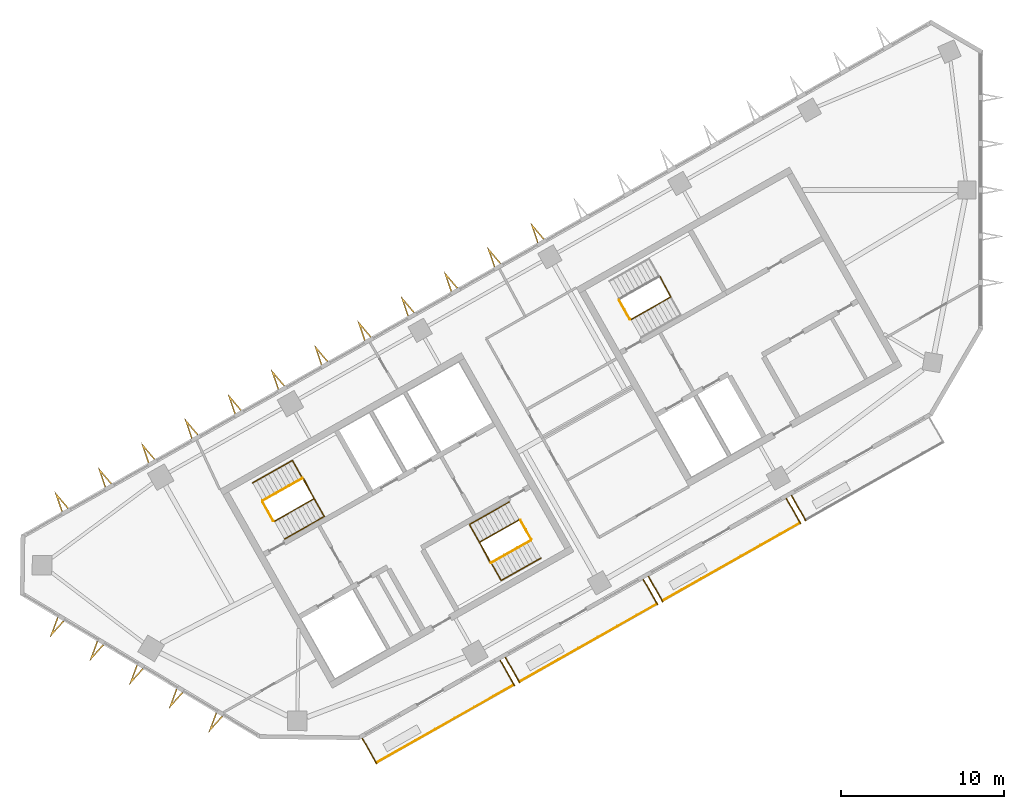
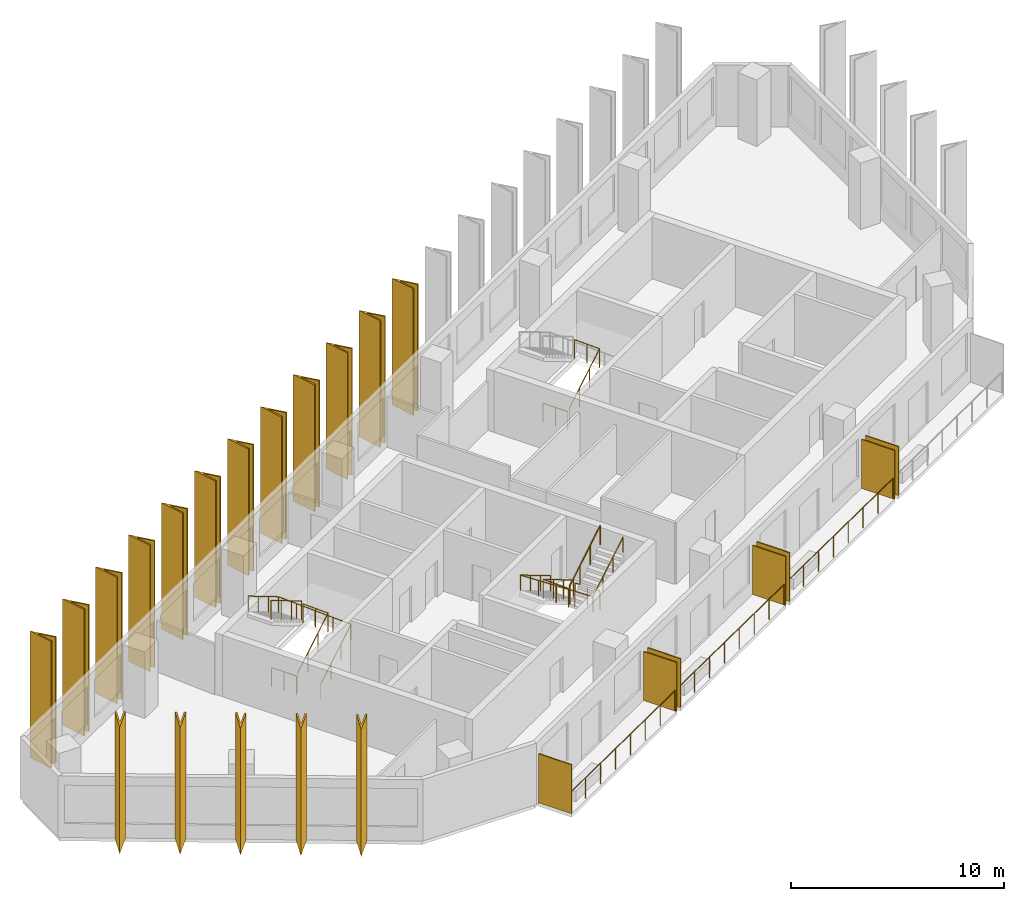
# One storey, part 6 of 8: 24 shading devices, 13 railings.
"""IFC4 building model written with IfcOpenShell, lengths in metres."""

import ifcopenshell
import ifcopenshell.guid

model = None  # the IFC model being written
_history = None  # IfcOwnerHistory: only IFC2X3 demands one
_inside = {}  # id of a spatial element -> (the spatial element, [elements in it])
_under = {}  # id of a project, library or spatial element -> (it, [spatial elements below it])
_declared = {}  # id of a project -> (the project, [libraries it declares])
_typed = {}  # id of a type object -> (the type object, [elements of that type])
_made_of = {}  # id of a material, layer set ... -> (it, [elements and type objects made of it])


def new_model(schema):
    """Start an empty IFC model of exactly this schema.

    Asked for "IFC4X3", IfcOpenShell would pick the latest addendum, in which some entities
    have other attributes; the version numbers below select the first issue.
    IFC2X3 requires an IfcOwnerHistory on every rooted entity: one is made here for all.
    """
    global model, _history
    if schema == "IFC4X3":
        model = ifcopenshell.file(schema_version=(4, 3, 0, 0))
    else:
        model = ifcopenshell.file(schema=schema)
    _inside.clear()
    _under.clear()
    _declared.clear()
    _typed.clear()
    _made_of.clear()
    _history = None
    if model.schema == "IFC2X3":
        org = make("IfcOrganization", Name="unknown")
        user = make(
            "IfcPersonAndOrganization",
            ThePerson=make("IfcPerson", FamilyName="unknown"),
            TheOrganization=org,
        )
        app = make(
            "IfcApplication",
            ApplicationDeveloper=org,
            Version="unknown",
            ApplicationFullName="unknown",
            ApplicationIdentifier="unknown",
        )
        _history = make(
            "IfcOwnerHistory",
            OwningUser=user,
            OwningApplication=app,
            ChangeAction="ADDED",
            CreationDate=0,
        )
    return model


def make(cls, **values):
    """One entity of the class cls with the attributes given. An attribute that is None is left unset."""
    return model.create_entity(
        cls, **{name: value for name, value in values.items() if value is not None}
    )


def rooted(cls, **values):
    """An entity with a GlobalId (a new one), such as an element, a storey or a relation."""
    return make(cls, GlobalId=ifcopenshell.guid.new(), OwnerHistory=_history, **values)


def si_unit(unit_type, name, prefix=None):
    """IfcSIUnit, for example si_unit("LENGTHUNIT", "METRE", prefix="MILLI")."""
    return make("IfcSIUnit", UnitType=unit_type, Prefix=prefix, Name=name)


def assignment(units):
    """IfcUnitAssignment: the units of a project."""
    return None if units is None else make("IfcUnitAssignment", Units=units)


def point(xyz):
    """IfcCartesianPoint."""
    return None if xyz is None else make("IfcCartesianPoint", Coordinates=xyz)


def direction(xyz):
    """IfcDirection."""
    return None if xyz is None else make("IfcDirection", DirectionRatios=xyz)


def frame(location, z_axis=None, x_axis=None):
    """IfcAxis2Placement3D, a coordinate frame: its origin and axes. An axis left out is left unset."""
    return make(
        "IfcAxis2Placement3D",
        Location=point(location),
        Axis=direction(z_axis),
        RefDirection=direction(x_axis),
    )


def frame_2d(location, x_axis=None):
    """IfcAxis2Placement2D, a coordinate frame in the plane: its origin and x axis."""
    return make(
        "IfcAxis2Placement2D", Location=point(location), RefDirection=direction(x_axis)
    )


def origin():
    """The frame at (0, 0, 0) with its axes left unset."""
    return frame((0.0, 0.0, 0.0))


def origin_2d():
    """The frame at (0, 0) in the plane with its x axis left unset."""
    return frame_2d((0.0, 0.0))


def place(relative_to, where):
    """IfcLocalPlacement: puts the frame where relative to a parent placement (None: the world)."""
    return make(
        "IfcLocalPlacement", PlacementRelTo=relative_to, RelativePlacement=where
    )


def context(
    kind, dimensions, precision=None, world=None, true_north=None, identifier=None
):
    """IfcGeometricRepresentationContext, for example the 3D "Model" context."""
    return make(
        "IfcGeometricRepresentationContext",
        ContextIdentifier=identifier,
        ContextType=kind,
        CoordinateSpaceDimension=dimensions,
        Precision=precision,
        WorldCoordinateSystem=world,
        TrueNorth=true_north,
    )


def subcontext(parent, identifier, kind, view, scale=None):
    """IfcGeometricRepresentationSubContext, for example "Body" below "Model"."""
    return make(
        "IfcGeometricRepresentationSubContext",
        ContextIdentifier=identifier,
        ContextType=kind,
        ParentContext=parent,
        TargetScale=scale,
        TargetView=view,
    )


def project(units=None, contexts=None):
    """IfcProject with its units and contexts."""
    return rooted(
        "IfcProject",
        Name="project",
        RepresentationContexts=contexts,
        UnitsInContext=assignment(units),
    )


def spatial(cls, under=None, at=None, **own):
    """A site, building, storey or space (cls), placed at a placement, below another one or the project."""
    s = rooted(cls, ObjectPlacement=at, **own)
    if under is not None:
        _under.setdefault(under.id(), (under, []))[1].append(s)
    return s


def polyline(points):
    """IfcPolyline through the points."""
    return make("IfcPolyline", Points=[point(p) for p in points])


def profile(cls, at=None, kind="AREA", **sizes):
    """A parametric profile (cls). Its sizes go by their IFC names, for example OverallWidth=200.0."""
    return make(cls, ProfileType=kind, Position=at, **sizes)


def rectangle(**sizes):
    """IfcRectangleProfileDef."""
    return profile("IfcRectangleProfileDef", **sizes)


def circle(**sizes):
    """IfcCircleProfileDef."""
    return profile("IfcCircleProfileDef", **sizes)


def outline(outer, holes=None, kind="AREA"):
    """IfcArbitraryClosedProfileDef: a profile drawn as a closed curve; with holes, ...WithVoids."""
    if holes is None:
        return make("IfcArbitraryClosedProfileDef", ProfileType=kind, OuterCurve=outer)
    return make(
        "IfcArbitraryProfileDefWithVoids",
        ProfileType=kind,
        OuterCurve=outer,
        InnerCurves=holes,
    )


def extrude(swept, where, along, depth):
    """IfcExtrudedAreaSolid: the profile swept, set in the frame where, extruded along a direction by depth."""
    return make(
        "IfcExtrudedAreaSolid",
        SweptArea=swept,
        Position=where,
        ExtrudedDirection=direction(along),
        Depth=depth,
    )


def shape(context_of_items, identifier, shape_type, items):
    """IfcShapeRepresentation: the items that make up one representation, for example the "Body"."""
    return make(
        "IfcShapeRepresentation",
        ContextOfItems=context_of_items,
        RepresentationIdentifier=identifier,
        RepresentationType=shape_type,
        Items=items,
    )


def material(Name=None, Category=None):
    """IfcMaterial."""
    return make("IfcMaterial", Name=Name, Category=Category)


def layer(
    of_material, thickness, ventilated=None, Name=None, Category=None, Priority=None
):
    """IfcMaterialLayer: one layer of a wall or slab, of a material (None: an air gap)."""
    return make(
        "IfcMaterialLayer",
        Material=of_material,
        LayerThickness=thickness,
        IsVentilated=ventilated,
        Name=Name,
        Category=Category,
        Priority=Priority,
    )


def layer_set(layers, Name=None):
    """IfcMaterialLayerSet."""
    return make("IfcMaterialLayerSet", MaterialLayers=layers, LayerSetName=Name)


def made_of(thing, what):
    """Note that an element or type object is made of a material, layer set ...; save() writes the relation."""
    if what is not None:
        _made_of.setdefault(what.id(), (what, []))[1].append(thing)
    return thing


def type_object(cls, material=None, **own):
    """A type object (cls), such as IfcWallType, which elements share."""
    return made_of(rooted(cls, **own), material)


def element(
    cls,
    number,
    at=None,
    inside=None,
    cuts=None,
    type_object=None,
    material=None,
    context=None,
    identifier="Body",
    shape_type=None,
    held_by="IfcProductDefinitionShape",
    body=None,
    shapes=None,
    **own,
):
    """One element of the class cls, such as IfcWall. Its Tag is "e" and its number.

    at: its placement. inside: the storey or other place that contains it. cuts: it is an
    opening in that element (IfcRelVoidsElement). A single representation is given by context,
    identifier, shape_type and body (its items); several are given by shapes. held_by: the class
    of the entity that holds the representations. save() writes the other relations.
    """
    e = rooted(cls, Tag="e%d" % number, ObjectPlacement=at, **own)
    if body is not None:
        shapes = [shape(context, identifier, shape_type, body)]
    if shapes is not None:
        e.Representation = make(held_by, Representations=shapes)
    if inside is not None:
        _inside.setdefault(inside.id(), (inside, []))[1].append(e)
    if cuts is not None:
        rooted(
            "IfcRelVoidsElement", RelatingBuildingElement=cuts, RelatedOpeningElement=e
        )
    if type_object is not None:
        _typed.setdefault(type_object.id(), (type_object, []))[1].append(e)
    return made_of(e, material)


def aggregate(whole, parts):
    """IfcRelAggregates: a whole, such as a stair, and the parts it consists of."""
    return rooted("IfcRelAggregates", RelatingObject=whole, RelatedObjects=parts)


def save(model, path):
    """Write the relations noted so far, then the file.

    IfcRelAggregates (storeys below a building ...), IfcRelContainedInSpatialStructure (elements
    in a storey), IfcRelDefinesByType, IfcRelAssociatesMaterial and IfcRelDeclares: one each for
    every whole, place, type object, material and project.
    """
    for whole, parts in _under.values():
        aggregate(whole, parts)
    for where, things in _inside.values():
        rooted(
            "IfcRelContainedInSpatialStructure",
            RelatedElements=things,
            RelatingStructure=where,
        )
    for kind, things in _typed.values():
        rooted("IfcRelDefinesByType", RelatedObjects=things, RelatingType=kind)
    for what, things in _made_of.values():
        rooted("IfcRelAssociatesMaterial", RelatedObjects=things, RelatingMaterial=what)
    for by, libraries in _declared.values():
        rooted("IfcRelDeclares", RelatingContext=by, RelatedDefinitions=libraries)
    model.write(path)


model = new_model("IFC4")

# Units and contexts
model_context = context("Model", 3, precision=1e-05, world=origin(), true_north=direction((0.0, 1.0)))
body_context = subcontext(model_context, "Body", "Model", "MODEL_VIEW")
ifc_project = project(units=[si_unit("LENGTHUNIT", "METRE"), si_unit("AREAUNIT", "SQUARE_METRE"), si_unit("VOLUMEUNIT", "CUBIC_METRE"), si_unit("PLANEANGLEUNIT", "RADIAN"), si_unit("MASSUNIT", "GRAM", prefix="KILO")], contexts=[model_context])

# Site, building, storey
site_placement = place(None, origin())
site = spatial("IfcSite", under=ifc_project, at=site_placement, CompositionType="ELEMENT")
building_placement = place(site_placement, origin())
building = spatial("IfcBuilding", under=site, at=building_placement, Name="Binnacle Exchange Tower", CompositionType="ELEMENT")
storey_placement = place(building_placement, frame((0.0, 0.0, 277.89990234375)))
storey = spatial("IfcBuildingStorey", under=building, at=storey_placement, Name="L62", CompositionType="ELEMENT", Elevation=277.89990234375)

# Railings
ifc_material_1 = material(Name="Bronze anodised aluminium frame", Category="aluminium")
railing_type_1 = type_object("IfcRailingType", Name="GUARD 1200", PredefinedType="GUARDRAIL", material=ifc_material_1)
for number, where, name in (
    (1, (-37.006591796875, 24.94287109375, 0.0), "Balcony guard H07-B00 L62"),
    (2, (-28.24365234375, 29.900634765625, 0.0), "Balcony guard H07-B01 L62"),
):
    element("IfcRailing", number, at=place(storey_placement, frame(where)), inside=storey, type_object=railing_type_1, Name=name, PredefinedType="GUARDRAIL", context=body_context, shape_type="SweptSolid", body=[
        extrude(circle(Radius=0.02392578125, at=origin_2d()), frame((0.0, 0.0, 1.17578125), z_axis=(0.870359171481, 0.492417417055, 0.0), x_axis=(-0.492417417055, 0.870359171481, 0.0)), (0.0, 0.0, 1.0), 9.648193359375),
        extrude(circle(Radius=0.02099609375, at=origin_2d()), origin(), (0.0, 0.0, 1.0), 1.15185546875),
        extrude(circle(Radius=0.02099609375, at=origin_2d()), frame((1.19970703125, 0.6787109375, 0.0)), (0.0, 0.0, 1.0), 1.15185546875),
        extrude(circle(Radius=0.02099609375, at=origin_2d()), frame((2.399169921875, 1.357421875, 0.0)), (0.0, 0.0, 1.0), 1.15185546875),
        extrude(circle(Radius=0.02099609375, at=origin_2d()), frame((3.598876953125, 2.0361328125, 0.0)), (0.0, 0.0, 1.0), 1.15185546875),
        extrude(circle(Radius=0.02099609375, at=origin_2d()), frame((4.798583984375, 2.71484375, 0.0)), (0.0, 0.0, 1.0), 1.15185546875),
        extrude(circle(Radius=0.02099609375, at=origin_2d()), frame((5.998291015625, 3.3935546875, 0.0)), (0.0, 0.0, 1.0), 1.15185546875),
        extrude(circle(Radius=0.02099609375, at=origin_2d()), frame((7.19775390625, 4.072265625, 0.0)), (0.0, 0.0, 1.0), 1.15185546875),
        extrude(circle(Radius=0.02099609375, at=origin_2d()), frame((8.3974609375, 4.7509765625, 0.0)), (0.0, 0.0, 1.0), 1.15185546875),
    ])
railing_1_placement = place(storey_placement, frame((-19.480712890625, 34.8583984375, 0.0)))
element("IfcRailing", 3, at=railing_1_placement, inside=storey, type_object=railing_type_1, Name="Balcony guard H07-B02 L62", PredefinedType="GUARDRAIL", context=body_context, shape_type="SweptSolid", body=[
    extrude(circle(Radius=0.02392578125, at=origin_2d()), frame((0.0, 0.0, 1.17578125), z_axis=(0.870342190373, 0.492447430349, 0.0), x_axis=(-0.492447430349, 0.870342190373, 0.0)), (0.0, 0.0, 1.0), 9.648193359375),
    extrude(circle(Radius=0.02099609375, at=origin_2d()), origin(), (0.0, 0.0, 1.0), 1.15185546875),
    extrude(circle(Radius=0.02099609375, at=origin_2d()), frame((1.19970703125, 0.6787109375, 0.0)), (0.0, 0.0, 1.0), 1.15185546875),
    extrude(circle(Radius=0.02099609375, at=origin_2d()), frame((2.399169921875, 1.357421875, 0.0)), (0.0, 0.0, 1.0), 1.15185546875),
    extrude(circle(Radius=0.02099609375, at=origin_2d()), frame((3.598876953125, 2.0361328125, 0.0)), (0.0, 0.0, 1.0), 1.15185546875),
    extrude(circle(Radius=0.02099609375, at=origin_2d()), frame((4.79833984375, 2.715087890625, 0.0)), (0.0, 0.0, 1.0), 1.15185546875),
    extrude(circle(Radius=0.02099609375, at=origin_2d()), frame((5.998046875, 3.393798828125, 0.0)), (0.0, 0.0, 1.0), 1.15185546875),
    extrude(circle(Radius=0.02099609375, at=origin_2d()), frame((7.197509765625, 4.072509765625, 0.0)), (0.0, 0.0, 1.0), 1.15185546875),
    extrude(circle(Radius=0.02099609375, at=origin_2d()), frame((8.397216796875, 4.751220703125, 0.0)), (0.0, 0.0, 1.0), 1.15185546875),
])

# Shading devices
ifc_material_2 = material(Name="Bronze aluminium louvre", Category="aluminium")
ifc_layer = layer(ifc_material_2, 0.06005859375)
ifc_layer_set = layer_set([ifc_layer], Name="PLANTED SCREEN 60x2800")
shading_device_type_1 = type_object("IfcShadingDeviceType", Name="PLANTED SCREEN 60x2800", PredefinedType="USERDEFINED", material=ifc_layer_set)
for number, where, z_axis, x_axis, name in (
    (4, (-37.436279296875, 25.641845703125, 0.0), (0.0, 0.0, 1.0), (0.87035569594, 0.492423560103, 0.0), "Planted screen H07-B00a L62"),
    (5, (-28.98681640625, 30.42236328125, 0.0), (0.0, 0.0, 1.0), (0.87035569594, 0.492423560103, 0.0), "Planted screen H07-B00b L62"),
    (6, (-28.673583984375, 30.599609375, 0.0), (0.0, 0.0, 1.0), (0.87035569594, 0.492423560103, 0.0), "Planted screen H07-B01a L62"),
    (7, (-20.223876953125, 35.380126953125, 0.0), (0.0, 0.0, 1.0), (0.87035569594, 0.492423560103, 0.0), "Planted screen H07-B01b L62"),
    (8, (-19.91064453125, 35.5576171875, 0.0), (0.0, 0.0, 1.0), (0.87035569594, 0.492423560103, 0.0), "Planted screen H07-B02a L62"),
    (9, (-11.461181640625, 40.337890625, 0.0), (0.0, 0.0, 1.0), (0.87035569594, 0.492423560103, 0.0), "Planted screen H07-B02b L62"),
    (10, (-11.147705078125, 40.51513671875, 0.0), (0.0, 0.0, 1.0), (0.87035569594, 0.492423560103, 0.0), "Planted screen H07-B03a L62"),
):
    element("IfcShadingDevice", number, at=place(storey_placement, frame(where, z_axis=z_axis, x_axis=x_axis)), inside=storey, type_object=shading_device_type_1, Name=name, ObjectType="SCREEN", PredefinedType="USERDEFINED", context=body_context, shape_type="SweptSolid", body=[
        extrude(rectangle(XDim=0.06005859375, YDim=1.800048828125, at=origin_2d()), origin(), (0.0, 0.0, 1.0), 2.800048828125),
    ])

# Railings
ifc_material_3 = material(Name="Steel guard rail", Category="steel")
railing_type_2 = type_object("IfcRailingType", Name="STAIR GUARD 1100", PredefinedType="GUARDRAIL", material=ifc_material_3)
railing_2_placement = place(storey_placement, frame((-43.26171875, 39.71728515625, 0.1728515625)))
element("IfcRailing", 11, at=railing_2_placement, inside=storey, type_object=railing_type_2, Name="L62 STA1 stair guard 1", PredefinedType="GUARDRAIL", context=body_context, shape_type="SweptSolid", body=[
    extrude(circle(Radius=0.02392578125, at=origin_2d()), frame((0.0, 0.0, 1.076171875), z_axis=(0.740737961854, 0.419123222656, 0.525017138862), x_axis=(-0.492453686477, 0.870338650569, 0.0)), (0.0, 0.0, 1.0), 3.2900390625),
    extrude(circle(Radius=0.02392578125, at=origin_2d()), frame((2.43701171875, 1.37890625, 2.80322265625), z_axis=(-0.461100321709, 0.887348011391, 0.0), x_axis=(-0.887348011391, -0.461100321709, 0.0)), (0.0, 0.0, 1.0), 1.40087890625),
    extrude(circle(Radius=0.02099609375, at=origin_2d()), origin(), (0.0, 0.0, 1.0), 1.052001953125),
    extrude(circle(Radius=0.02099609375, at=origin_2d()), frame((0.812255859375, 0.459716796875, 0.57568359375)), (0.0, 0.0, 1.0), 1.052001953125),
    extrude(circle(Radius=0.02099609375, at=origin_2d()), frame((1.624755859375, 0.919189453125, 1.151611328125)), (0.0, 0.0, 1.0), 1.052001953125),
    extrude(circle(Radius=0.02099609375, at=origin_2d()), frame((2.43701171875, 1.37890625, 1.727294921875)), (0.0, 0.0, 1.0), 1.052001953125),
    extrude(circle(Radius=0.02099609375, at=origin_2d()), frame((2.114013671875, 2.00048828125, 1.727294921875)), (0.0, 0.0, 1.0), 1.052001953125),
    extrude(circle(Radius=0.02099609375, at=origin_2d()), frame((1.791015625, 2.6220703125, 1.727294921875)), (0.0, 0.0, 1.0), 1.052001953125),
])
railing_3_placement = place(storey_placement, frame((-41.538818359375, 42.358154296875, 2.07275390625)))
element("IfcRailing", 12, at=railing_3_placement, inside=storey, type_object=railing_type_2, Name="L62 STA1 stair guard 2", PredefinedType="GUARDRAIL", context=body_context, shape_type="SweptSolid", body=[
    extrude(circle(Radius=0.02392578125, at=origin_2d()), frame((0.0, 0.0, 1.076171875), z_axis=(-0.740737961854, -0.419123222656, 0.525017138862), x_axis=(0.492453686477, -0.870338650569, 0.0)), (0.0, 0.0, 1.0), 3.2900390625),
    extrude(circle(Radius=0.02099609375, at=origin_2d()), origin(), (0.0, 0.0, 1.0), 1.052001953125),
    extrude(circle(Radius=0.02099609375, at=origin_2d()), frame((-0.812255859375, -0.459716796875, 0.57568359375)), (0.0, 0.0, 1.0), 1.052001953125),
    extrude(circle(Radius=0.02099609375, at=origin_2d()), frame((-1.624755859375, -0.919189453125, 1.151611328125)), (0.0, 0.0, 1.0), 1.052001953125),
    extrude(circle(Radius=0.02099609375, at=origin_2d()), frame((-2.43701171875, -1.37890625, 1.727294921875)), (0.0, 0.0, 1.0), 1.052001953125),
])
railing_4_placement = place(storey_placement, frame((-43.329833984375, 39.736328125, 0.0)))
element("IfcRailing", 13, at=railing_4_placement, inside=storey, type_object=railing_type_2, Name="L62 STA1 stair guard 3", PredefinedType="GUARDRAIL", context=body_context, shape_type="SweptSolid", body=[
    extrude(circle(Radius=0.02392578125, at=origin_2d()), frame((0.0, 0.0, 1.076171875), z_axis=(-0.4924922531, 0.870316827734, 0.0), x_axis=(-0.870316827734, -0.4924922531, 0.0)), (0.0, 0.0, 1.0), 1.349853515625),
    extrude(circle(Radius=0.02099609375, at=origin_2d()), origin(), (0.0, 0.0, 1.0), 1.052001953125),
    extrude(circle(Radius=0.02099609375, at=origin_2d()), frame((-0.33251953125, 0.58740234375, 0.0)), (0.0, 0.0, 1.0), 1.052001953125),
    extrude(circle(Radius=0.02099609375, at=origin_2d()), frame((-0.664794921875, 1.1748046875, 0.0)), (0.0, 0.0, 1.0), 1.052001953125),
])
railing_5_placement = place(storey_placement, frame((-28.265380859375, 39.814453125, 0.1728515625)))
element("IfcRailing", 14, at=railing_5_placement, inside=storey, type_object=railing_type_2, Name="L62 STA2 stair guard 1", PredefinedType="GUARDRAIL", context=body_context, shape_type="SweptSolid", body=[
    extrude(circle(Radius=0.02392578125, at=origin_2d()), frame((0.0, 0.0, 1.076171875), z_axis=(-0.740760999345, -0.419062048017, 0.525033467278), x_axis=(0.492387636113, -0.870376019777, 0.0)), (0.0, 0.0, 1.0), 3.289794921875),
    extrude(circle(Radius=0.02392578125, at=origin_2d()), frame((-2.43701171875, -1.378662109375, 2.80322265625), z_axis=(0.460963092712, -0.887419307406, 0.0), x_axis=(0.887419307406, 0.460963092712, 0.0)), (0.0, 0.0, 1.0), 1.40087890625),
    extrude(circle(Radius=0.02099609375, at=origin_2d()), origin(), (0.0, 0.0, 1.0), 1.052001953125),
    extrude(circle(Radius=0.02099609375, at=origin_2d()), frame((-0.812255859375, -0.45947265625, 0.57568359375)), (0.0, 0.0, 1.0), 1.052001953125),
    extrude(circle(Radius=0.02099609375, at=origin_2d()), frame((-1.624755859375, -0.919189453125, 1.151611328125)), (0.0, 0.0, 1.0), 1.052001953125),
    extrude(circle(Radius=0.02099609375, at=origin_2d()), frame((-2.43701171875, -1.378662109375, 1.727294921875)), (0.0, 0.0, 1.0), 1.052001953125),
    extrude(circle(Radius=0.02099609375, at=origin_2d()), frame((-2.1142578125, -2.000244140625, 1.727294921875)), (0.0, 0.0, 1.0), 1.052001953125),
    extrude(circle(Radius=0.02099609375, at=origin_2d()), frame((-1.791259765625, -2.621826171875, 1.727294921875)), (0.0, 0.0, 1.0), 1.052001953125),
])
railing_6_placement = place(storey_placement, frame((-29.988525390625, 37.173583984375, 2.07275390625)))
element("IfcRailing", 15, at=railing_6_placement, inside=storey, type_object=railing_type_2, Name="L62 STA2 stair guard 2", PredefinedType="GUARDRAIL", context=body_context, shape_type="SweptSolid", body=[
    extrude(circle(Radius=0.02392578125, at=origin_2d()), frame((0.0, 0.0, 1.076171875), z_axis=(0.740737961854, 0.419123222656, 0.525017138862), x_axis=(-0.492453686477, 0.870338650569, 0.0)), (0.0, 0.0, 1.0), 3.2900390625),
    extrude(circle(Radius=0.02099609375, at=origin_2d()), origin(), (0.0, 0.0, 1.0), 1.052001953125),
    extrude(circle(Radius=0.02099609375, at=origin_2d()), frame((0.812255859375, 0.459716796875, 0.57568359375)), (0.0, 0.0, 1.0), 1.052001953125),
    extrude(circle(Radius=0.02099609375, at=origin_2d()), frame((1.624755859375, 0.919189453125, 1.151611328125)), (0.0, 0.0, 1.0), 1.052001953125),
    extrude(circle(Radius=0.02099609375, at=origin_2d()), frame((2.43701171875, 1.37890625, 1.727294921875)), (0.0, 0.0, 1.0), 1.052001953125),
])
railing_7_placement = place(storey_placement, frame((-28.197265625, 39.795654296875, 0.0)))
element("IfcRailing", 16, at=railing_7_placement, inside=storey, type_object=railing_type_2, Name="L62 STA2 stair guard 3", PredefinedType="GUARDRAIL", context=body_context, shape_type="SweptSolid", body=[
    extrude(circle(Radius=0.02392578125, at=origin_2d()), frame((0.0, 0.0, 1.076171875), z_axis=(0.49241474071, -0.870360685654, 0.0), x_axis=(0.870360685654, 0.49241474071, 0.0)), (0.0, 0.0, 1.0), 1.35009765625),
    extrude(circle(Radius=0.02099609375, at=origin_2d()), origin(), (0.0, 0.0, 1.0), 1.052001953125),
    extrude(circle(Radius=0.02099609375, at=origin_2d()), frame((0.33251953125, -0.58740234375, 0.0)), (0.0, 0.0, 1.0), 1.052001953125),
    extrude(circle(Radius=0.02099609375, at=origin_2d()), frame((0.664794921875, -1.175048828125, 0.0)), (0.0, 0.0, 1.0), 1.052001953125),
])
railing_8_placement = place(storey_placement, frame((-21.423828125, 52.07275390625, 0.1728515625)))
element("IfcRailing", 17, at=railing_8_placement, inside=storey, type_object=railing_type_2, Name="L62 STC1 stair guard 1", PredefinedType="GUARDRAIL", context=body_context, shape_type="SweptSolid", body=[
    extrude(circle(Radius=0.02392578125, at=origin_2d()), frame((0.0, 0.0, 1.076171875), z_axis=(0.740760999345, 0.419062048017, 0.525033467278), x_axis=(-0.492387636113, 0.870376019777, 0.0)), (0.0, 0.0, 1.0), 3.289794921875),
    extrude(circle(Radius=0.02392578125, at=origin_2d()), frame((2.43701171875, 1.378662109375, 2.80322265625), z_axis=(-0.460963092712, 0.887419307406, 0.0), x_axis=(-0.887419307406, -0.460963092712, 0.0)), (0.0, 0.0, 1.0), 1.40087890625),
    extrude(circle(Radius=0.02099609375, at=origin_2d()), origin(), (0.0, 0.0, 1.0), 1.052001953125),
    extrude(circle(Radius=0.02099609375, at=origin_2d()), frame((0.812255859375, 0.45947265625, 0.57568359375)), (0.0, 0.0, 1.0), 1.052001953125),
    extrude(circle(Radius=0.02099609375, at=origin_2d()), frame((1.624755859375, 0.919189453125, 1.151611328125)), (0.0, 0.0, 1.0), 1.052001953125),
    extrude(circle(Radius=0.02099609375, at=origin_2d()), frame((2.43701171875, 1.378662109375, 1.727294921875)), (0.0, 0.0, 1.0), 1.052001953125),
    extrude(circle(Radius=0.02099609375, at=origin_2d()), frame((2.1142578125, 2.000244140625, 1.727294921875)), (0.0, 0.0, 1.0), 1.052001953125),
    extrude(circle(Radius=0.02099609375, at=origin_2d()), frame((1.791259765625, 2.621826171875, 1.727294921875)), (0.0, 0.0, 1.0), 1.052001953125),
])
railing_9_placement = place(storey_placement, frame((-21.491943359375, 52.091552734375, 0.0)))
element("IfcRailing", 18, at=railing_9_placement, inside=storey, type_object=railing_type_2, Name="L62 STC1 stair guard 3", PredefinedType="GUARDRAIL", context=body_context, shape_type="SweptSolid", body=[
    extrude(circle(Radius=0.02392578125, at=origin_2d()), frame((0.0, 0.0, 1.076171875), z_axis=(-0.49241474071, 0.870360685654, 0.0), x_axis=(-0.870360685654, -0.49241474071, 0.0)), (0.0, 0.0, 1.0), 1.35009765625),
    extrude(circle(Radius=0.02099609375, at=origin_2d()), origin(), (0.0, 0.0, 1.0), 1.052001953125),
    extrude(circle(Radius=0.02099609375, at=origin_2d()), frame((-0.33251953125, 0.58740234375, 0.0)), (0.0, 0.0, 1.0), 1.052001953125),
    extrude(circle(Radius=0.02099609375, at=origin_2d()), frame((-0.664794921875, 1.175048828125, 0.0)), (0.0, 0.0, 1.0), 1.052001953125),
])
ifc_material_4 = material(Name="Steel handrail", Category="steel")
railing_type_3 = type_object("IfcRailingType", Name="STAIR HANDRAIL 900", PredefinedType="HANDRAIL", material=ifc_material_4)
railing_10_placement = place(storey_placement, frame((-42.646240234375, 38.62939453125, 0.1728515625)))
element("IfcRailing", 19, at=railing_10_placement, inside=storey, type_object=railing_type_3, Name="L62 STA1 stair handrail 1", PredefinedType="HANDRAIL", context=body_context, shape_type="SweptSolid", body=[
    extrude(circle(Radius=0.02392578125, at=origin_2d()), frame((0.0, 0.0, 0.8759765625), z_axis=(0.740760999345, 0.419062048017, 0.525033467278), x_axis=(-0.492387636113, 0.870376019777, 0.0)), (0.0, 0.0, 1.0), 3.289794921875),
    extrude(circle(Radius=0.02392578125, at=origin_2d()), frame((2.43701171875, 1.378662109375, 2.60302734375), z_axis=(-0.491944173491, 0.869531549026, 0.043655645871), x_axis=(-0.870361318571, -0.492413622004, 0.0)), (0.0, 0.0, 1.0), 3.953857421875),
    extrude(circle(Radius=0.02392578125, at=origin_2d()), frame((0.491943359375, 4.816650390625, 2.77587890625), z_axis=(-0.740760999345, -0.419062048017, 0.525033467278), x_axis=(0.492387636113, -0.870376019777, 0.0)), (0.0, 0.0, 1.0), 3.289794921875),
    extrude(circle(Radius=0.02099609375, at=origin_2d()), origin(), (0.0, 0.0, 1.0), 0.851806640625),
    extrude(circle(Radius=0.02099609375, at=origin_2d()), frame((0.812255859375, 0.45947265625, 0.57568359375)), (0.0, 0.0, 1.0), 0.851806640625),
    extrude(circle(Radius=0.02099609375, at=origin_2d()), frame((1.624755859375, 0.919189453125, 1.151611328125)), (0.0, 0.0, 1.0), 0.851806640625),
    extrude(circle(Radius=0.02099609375, at=origin_2d()), frame((2.43701171875, 1.378662109375, 1.727294921875)), (0.0, 0.0, 1.0), 0.851806640625),
    extrude(circle(Radius=0.02099609375, at=origin_2d()), frame((1.95068359375, 2.23828125, 1.7705078125)), (0.0, 0.0, 1.0), 0.851806640625),
    extrude(circle(Radius=0.02099609375, at=origin_2d()), frame((1.46435546875, 3.09765625, 1.8134765625)), (0.0, 0.0, 1.0), 0.851806640625),
    extrude(circle(Radius=0.02099609375, at=origin_2d()), frame((0.978271484375, 3.95703125, 1.856689453125)), (0.0, 0.0, 1.0), 0.851806640625),
    extrude(circle(Radius=0.02099609375, at=origin_2d()), frame((0.491943359375, 4.816650390625, 1.89990234375)), (0.0, 0.0, 1.0), 0.851806640625),
    extrude(circle(Radius=0.02099609375, at=origin_2d()), frame((-0.3203125, 4.357177734375, 2.4755859375)), (0.0, 0.0, 1.0), 0.851806640625),
    extrude(circle(Radius=0.02099609375, at=origin_2d()), frame((-1.1328125, 3.8974609375, 3.051513671875)), (0.0, 0.0, 1.0), 0.851806640625),
    extrude(circle(Radius=0.02099609375, at=origin_2d()), frame((-1.945068359375, 3.43798828125, 3.627197265625)), (0.0, 0.0, 1.0), 0.851806640625),
])
railing_11_placement = place(storey_placement, frame((-28.880859375, 40.90234375, 0.1728515625)))
element("IfcRailing", 20, at=railing_11_placement, inside=storey, type_object=railing_type_3, Name="L62 STA2 stair handrail 1", PredefinedType="HANDRAIL", context=body_context, shape_type="SweptSolid", body=[
    extrude(circle(Radius=0.02392578125, at=origin_2d()), frame((0.0, 0.0, 0.8759765625), z_axis=(-0.740760999345, -0.419062048017, 0.525033467278), x_axis=(0.492387636113, -0.870376019777, 0.0)), (0.0, 0.0, 1.0), 3.289794921875),
    extrude(circle(Radius=0.02392578125, at=origin_2d()), frame((-2.43701171875, -1.378662109375, 2.60302734375), z_axis=(0.491944173491, -0.869531549026, 0.043655645871), x_axis=(0.870361318571, 0.492413622004, 0.0)), (0.0, 0.0, 1.0), 3.953857421875),
    extrude(circle(Radius=0.02392578125, at=origin_2d()), frame((-0.491943359375, -4.816650390625, 2.77587890625), z_axis=(0.740737961854, 0.419123222656, 0.525017138862), x_axis=(-0.492453686477, 0.870338650569, 0.0)), (0.0, 0.0, 1.0), 3.2900390625),
    extrude(circle(Radius=0.02099609375, at=origin_2d()), origin(), (0.0, 0.0, 1.0), 0.851806640625),
    extrude(circle(Radius=0.02099609375, at=origin_2d()), frame((-0.812255859375, -0.45947265625, 0.57568359375)), (0.0, 0.0, 1.0), 0.851806640625),
    extrude(circle(Radius=0.02099609375, at=origin_2d()), frame((-1.624755859375, -0.919189453125, 1.151611328125)), (0.0, 0.0, 1.0), 0.851806640625),
    extrude(circle(Radius=0.02099609375, at=origin_2d()), frame((-2.43701171875, -1.378662109375, 1.727294921875)), (0.0, 0.0, 1.0), 0.851806640625),
    extrude(circle(Radius=0.02099609375, at=origin_2d()), frame((-1.95068359375, -2.23828125, 1.7705078125)), (0.0, 0.0, 1.0), 0.851806640625),
    extrude(circle(Radius=0.02099609375, at=origin_2d()), frame((-1.46435546875, -3.09765625, 1.8134765625)), (0.0, 0.0, 1.0), 0.851806640625),
    extrude(circle(Radius=0.02099609375, at=origin_2d()), frame((-0.978271484375, -3.95703125, 1.856689453125)), (0.0, 0.0, 1.0), 0.851806640625),
    extrude(circle(Radius=0.02099609375, at=origin_2d()), frame((-0.491943359375, -4.816650390625, 1.89990234375)), (0.0, 0.0, 1.0), 0.851806640625),
    extrude(circle(Radius=0.02099609375, at=origin_2d()), frame((0.3203125, -4.35693359375, 2.4755859375)), (0.0, 0.0, 1.0), 0.851806640625),
    extrude(circle(Radius=0.02099609375, at=origin_2d()), frame((1.1328125, -3.8974609375, 3.051513671875)), (0.0, 0.0, 1.0), 0.851806640625),
    extrude(circle(Radius=0.02099609375, at=origin_2d()), frame((1.945068359375, -3.437744140625, 3.627197265625)), (0.0, 0.0, 1.0), 0.851806640625),
])

# Shading devices
ifc_material_5 = material(Name="Bronze aluminium cladding", Category="aluminium")
shading_device_type_2 = type_object("IfcShadingDeviceType", Name="V FIN 1300 DEEP x 7250 HIGH", PredefinedType="USERDEFINED", material=ifc_material_5)
shading_device_1_placement = place(storey_placement, origin())
element("IfcShadingDevice", 21, at=shading_device_1_placement, inside=storey, type_object=shading_device_type_2, Name="V fin FN-H03-09 L62", ObjectType="FIN", PredefinedType="USERDEFINED", context=body_context, shape_type="SweptSolid", body=[
    extrude(outline(polyline([(-26.72900390625, 57.02099609375), (-27.586669921875, 58.029541015625), (-27.1640625, 56.77490234375), (-27.09326171875, 56.81494140625), (-27.3779296875, 57.660888671875), (-26.7998046875, 56.98095703125), (-26.72900390625, 57.02099609375)])), origin(), (0.0, 0.0, 1.0), 7.25),
])
shading_device_2_placement = place(storey_placement, origin())
element("IfcShadingDevice", 22, at=shading_device_2_placement, inside=storey, type_object=shading_device_type_2, Name="V fin FN-H03-10 L62", ObjectType="FIN", PredefinedType="USERDEFINED", context=body_context, shape_type="SweptSolid", body=[
    extrude(outline(polyline([(-29.377685546875, 55.5224609375), (-30.2353515625, 56.531005859375), (-29.812744140625, 55.2763671875), (-29.741943359375, 55.31640625), (-30.026611328125, 56.162109375), (-29.448486328125, 55.482421875), (-29.377685546875, 55.5224609375)])), origin(), (0.0, 0.0, 1.0), 7.25),
])
shading_device_3_placement = place(storey_placement, origin())
element("IfcShadingDevice", 23, at=shading_device_3_placement, inside=storey, type_object=shading_device_type_2, Name="V fin FN-H03-11 L62", ObjectType="FIN", PredefinedType="USERDEFINED", context=body_context, shape_type="SweptSolid", body=[
    extrude(outline(polyline([(-32.0263671875, 54.02392578125), (-32.884033203125, 55.032470703125), (-32.46142578125, 53.77783203125), (-32.390625, 53.81787109375), (-32.67529296875, 54.663818359375), (-32.09716796875, 53.98388671875), (-32.0263671875, 54.02392578125)])), origin(), (0.0, 0.0, 1.0), 7.25),
])
shading_device_4_placement = place(storey_placement, origin())
element("IfcShadingDevice", 24, at=shading_device_4_placement, inside=storey, type_object=shading_device_type_2, Name="V fin FN-H03-12 L62", ObjectType="FIN", PredefinedType="USERDEFINED", context=body_context, shape_type="SweptSolid", body=[
    extrude(outline(polyline([(-34.675048828125, 52.525390625), (-35.53271484375, 53.53369140625), (-35.110107421875, 52.279296875), (-35.039306640625, 52.3193359375), (-35.32421875, 53.1650390625), (-34.745849609375, 52.4853515625), (-34.675048828125, 52.525390625)])), origin(), (0.0, 0.0, 1.0), 7.25),
])
shading_device_5_placement = place(storey_placement, origin())
element("IfcShadingDevice", 25, at=shading_device_5_placement, inside=storey, type_object=shading_device_type_2, Name="V fin FN-H03-13 L62", ObjectType="FIN", PredefinedType="USERDEFINED", context=body_context, shape_type="SweptSolid", body=[
    extrude(outline(polyline([(-37.32373046875, 51.02685546875), (-38.181640625, 52.03515625), (-37.759033203125, 50.780517578125), (-37.68798828125, 50.82080078125), (-37.972900390625, 51.66650390625), (-37.394775390625, 50.98681640625), (-37.32373046875, 51.02685546875)])), origin(), (0.0, 0.0, 1.0), 7.25),
])
shading_device_6_placement = place(storey_placement, origin())
element("IfcShadingDevice", 26, at=shading_device_6_placement, inside=storey, type_object=shading_device_type_2, Name="V fin FN-H03-14 L62", ObjectType="FIN", PredefinedType="USERDEFINED", context=body_context, shape_type="SweptSolid", body=[
    extrude(outline(polyline([(-39.972412109375, 49.5283203125), (-40.830322265625, 50.53662109375), (-40.40771484375, 49.281982421875), (-40.3369140625, 49.322021484375), (-40.62158203125, 50.16796875), (-40.04345703125, 49.488037109375), (-39.972412109375, 49.5283203125)])), origin(), (0.0, 0.0, 1.0), 7.25),
])
shading_device_7_placement = place(storey_placement, origin())
element("IfcShadingDevice", 27, at=shading_device_7_placement, inside=storey, type_object=shading_device_type_2, Name="V fin FN-H03-15 L62", ObjectType="FIN", PredefinedType="USERDEFINED", context=body_context, shape_type="SweptSolid", body=[
    extrude(outline(polyline([(-42.621337890625, 48.029541015625), (-43.47900390625, 49.0380859375), (-43.056396484375, 47.783447265625), (-42.985595703125, 47.823486328125), (-43.2705078125, 48.669189453125), (-42.692138671875, 47.989501953125), (-42.621337890625, 48.029541015625)])), origin(), (0.0, 0.0, 1.0), 7.25),
])
shading_device_8_placement = place(storey_placement, origin())
element("IfcShadingDevice", 28, at=shading_device_8_placement, inside=storey, type_object=shading_device_type_2, Name="V fin FN-H03-16 L62", ObjectType="FIN", PredefinedType="USERDEFINED", context=body_context, shape_type="SweptSolid", body=[
    extrude(outline(polyline([(-45.27001953125, 46.531005859375), (-46.127685546875, 47.539306640625), (-45.705078125, 46.284912109375), (-45.63427734375, 46.324951171875), (-45.919189453125, 47.170654296875), (-45.3408203125, 46.490966796875), (-45.27001953125, 46.531005859375)])), origin(), (0.0, 0.0, 1.0), 7.25),
])
shading_device_9_placement = place(storey_placement, origin())
element("IfcShadingDevice", 29, at=shading_device_9_placement, inside=storey, type_object=shading_device_type_2, Name="V fin FN-H03-17 L62", ObjectType="FIN", PredefinedType="USERDEFINED", context=body_context, shape_type="SweptSolid", body=[
    extrude(outline(polyline([(-47.918701171875, 45.032470703125), (-48.776611328125, 46.040771484375), (-48.35400390625, 44.7861328125), (-48.283203125, 44.826416015625), (-48.56787109375, 45.672119140625), (-47.98974609375, 44.9921875), (-47.918701171875, 45.032470703125)])), origin(), (0.0, 0.0, 1.0), 7.25),
])
shading_device_10_placement = place(storey_placement, origin())
element("IfcShadingDevice", 30, at=shading_device_10_placement, inside=storey, type_object=shading_device_type_2, Name="V fin FN-H03-18 L62", ObjectType="FIN", PredefinedType="USERDEFINED", context=body_context, shape_type="SweptSolid", body=[
    extrude(outline(polyline([(-50.5673828125, 43.533935546875), (-51.42529296875, 44.542236328125), (-51.002685546875, 43.28759765625), (-50.931884765625, 43.327880859375), (-51.216552734375, 44.173583984375), (-50.638427734375, 43.493896484375), (-50.5673828125, 43.533935546875)])), origin(), (0.0, 0.0, 1.0), 7.25),
])
shading_device_11_placement = place(storey_placement, origin())
element("IfcShadingDevice", 31, at=shading_device_11_placement, inside=storey, type_object=shading_device_type_2, Name="V fin FN-H03-19 L62", ObjectType="FIN", PredefinedType="USERDEFINED", context=body_context, shape_type="SweptSolid", body=[
    extrude(outline(polyline([(-53.21630859375, 42.035400390625), (-54.073974609375, 43.043701171875), (-53.6513671875, 41.7890625), (-53.58056640625, 41.8291015625), (-53.865234375, 42.675048828125), (-53.287109375, 41.9951171875), (-53.21630859375, 42.035400390625)])), origin(), (0.0, 0.0, 1.0), 7.25),
])
shading_device_12_placement = place(storey_placement, origin())
element("IfcShadingDevice", 32, at=shading_device_12_placement, inside=storey, type_object=shading_device_type_2, Name="V fin FN-H03-20 L62", ObjectType="FIN", PredefinedType="USERDEFINED", context=body_context, shape_type="SweptSolid", body=[
    extrude(outline(polyline([(-55.864990234375, 40.53662109375), (-56.722900390625, 41.545166015625), (-56.30029296875, 40.29052734375), (-56.229248046875, 40.33056640625), (-56.51416015625, 41.176513671875), (-55.935791015625, 40.49658203125), (-55.864990234375, 40.53662109375)])), origin(), (0.0, 0.0, 1.0), 7.25),
])
shading_device_13_placement = place(storey_placement, origin())
element("IfcShadingDevice", 33, at=shading_device_13_placement, inside=storey, type_object=shading_device_type_2, Name="V fin FN-H05-01 L62", ObjectType="FIN", PredefinedType="USERDEFINED", context=body_context, shape_type="SweptSolid", body=[
    extrude(outline(polyline([(-56.566162109375, 33.842529296875), (-57.021240234375, 32.599365234375), (-56.137451171875, 33.5849609375), (-56.207275390625, 33.626953125), (-56.80322265625, 32.96240234375), (-56.496337890625, 33.800537109375), (-56.566162109375, 33.842529296875)])), origin(), (0.0, 0.0, 1.0), 7.25),
])
shading_device_14_placement = place(storey_placement, origin())
element("IfcShadingDevice", 34, at=shading_device_14_placement, inside=storey, type_object=shading_device_type_2, Name="V fin FN-H05-02 L62", ObjectType="FIN", PredefinedType="USERDEFINED", context=body_context, shape_type="SweptSolid", body=[
    extrude(outline(polyline([(-54.137451171875, 32.38330078125), (-54.592529296875, 31.14013671875), (-53.708740234375, 32.12548828125), (-53.778564453125, 32.16748046875), (-54.37451171875, 31.503173828125), (-54.067626953125, 32.34130859375), (-54.137451171875, 32.38330078125)])), origin(), (0.0, 0.0, 1.0), 7.25),
])
shading_device_15_placement = place(storey_placement, origin())
element("IfcShadingDevice", 35, at=shading_device_15_placement, inside=storey, type_object=shading_device_type_2, Name="V fin FN-H05-03 L62", ObjectType="FIN", PredefinedType="USERDEFINED", context=body_context, shape_type="SweptSolid", body=[
    extrude(outline(polyline([(-51.708740234375, 30.923828125), (-52.1640625, 29.680908203125), (-51.2802734375, 30.666259765625), (-51.35009765625, 30.708251953125), (-51.94580078125, 30.0439453125), (-51.638916015625, 30.8818359375), (-51.708740234375, 30.923828125)])), origin(), (0.0, 0.0, 1.0), 7.25),
])
shading_device_16_placement = place(storey_placement, origin())
element("IfcShadingDevice", 36, at=shading_device_16_placement, inside=storey, type_object=shading_device_type_2, Name="V fin FN-H05-04 L62", ObjectType="FIN", PredefinedType="USERDEFINED", context=body_context, shape_type="SweptSolid", body=[
    extrude(outline(polyline([(-49.280029296875, 29.464599609375), (-49.7353515625, 28.2216796875), (-48.8515625, 29.20703125), (-48.92138671875, 29.2490234375), (-49.51708984375, 28.584716796875), (-49.210205078125, 29.422607421875), (-49.280029296875, 29.464599609375)])), origin(), (0.0, 0.0, 1.0), 7.25),
])
shading_device_17_placement = place(storey_placement, origin())
element("IfcShadingDevice", 37, at=shading_device_17_placement, inside=storey, type_object=shading_device_type_2, Name="V fin FN-H05-05 L62", ObjectType="FIN", PredefinedType="USERDEFINED", context=body_context, shape_type="SweptSolid", body=[
    extrude(outline(polyline([(-46.8515625, 28.00537109375), (-47.306640625, 26.76220703125), (-46.4228515625, 27.747802734375), (-46.49267578125, 27.789794921875), (-47.088623046875, 27.12548828125), (-46.78173828125, 27.96337890625), (-46.8515625, 28.00537109375)])), origin(), (0.0, 0.0, 1.0), 7.25),
])

save(model, "model.ifc")
